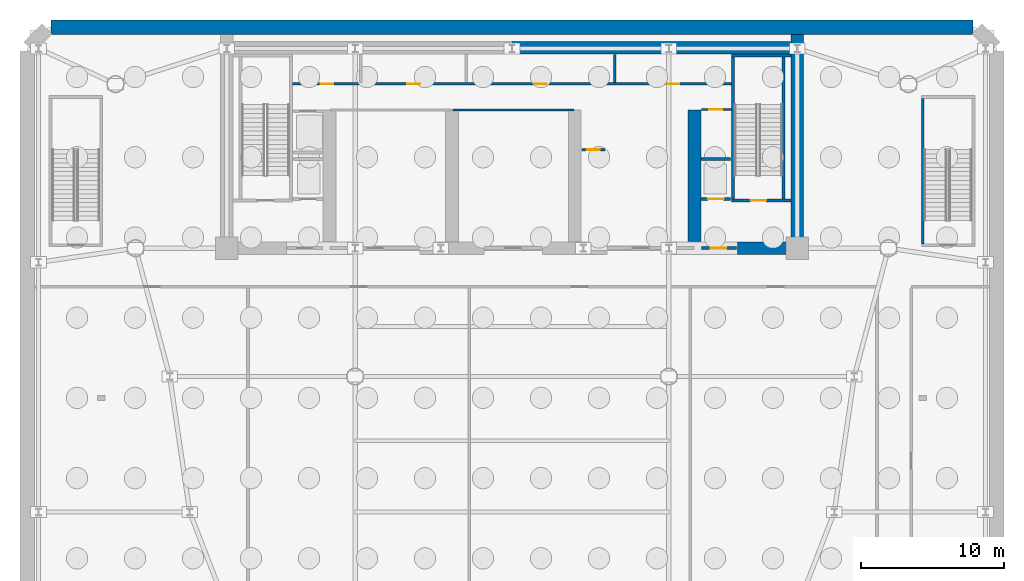
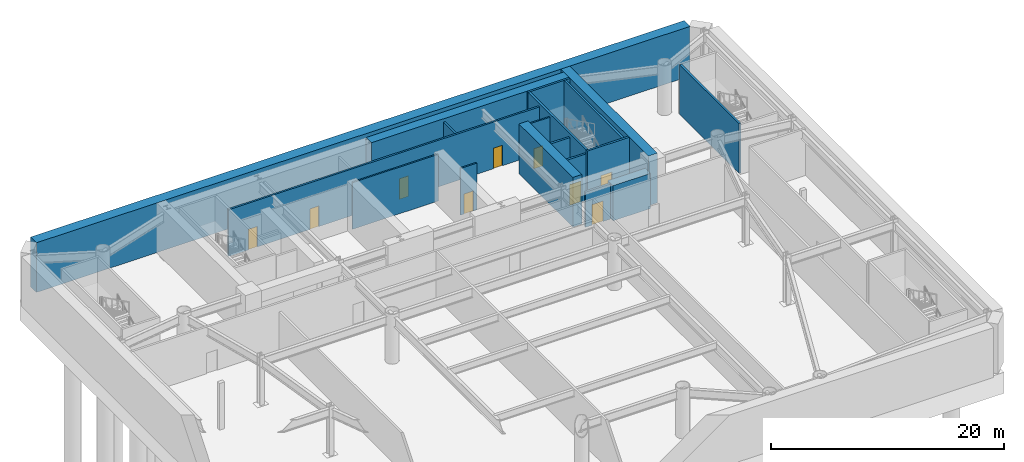
# One storey, part 4 of 11: 18 walls, 9 doors, 9 openings.
"""IFC4 building model written with IfcOpenShell, lengths in metres."""

import ifcopenshell
import ifcopenshell.guid

model = None  # the IFC model being written
_history = None  # IfcOwnerHistory: only IFC2X3 demands one
_inside = {}  # id of a spatial element -> (the spatial element, [elements in it])
_under = {}  # id of a project, library or spatial element -> (it, [spatial elements below it])
_declared = {}  # id of a project -> (the project, [libraries it declares])
_typed = {}  # id of a type object -> (the type object, [elements of that type])
_made_of = {}  # id of a material, layer set ... -> (it, [elements and type objects made of it])


def new_model(schema):
    """Start an empty IFC model of exactly this schema.

    Asked for "IFC4X3", IfcOpenShell would pick the latest addendum, in which some entities
    have other attributes; the version numbers below select the first issue.
    IFC2X3 requires an IfcOwnerHistory on every rooted entity: one is made here for all.
    """
    global model, _history
    if schema == "IFC4X3":
        model = ifcopenshell.file(schema_version=(4, 3, 0, 0))
    else:
        model = ifcopenshell.file(schema=schema)
    _inside.clear()
    _under.clear()
    _declared.clear()
    _typed.clear()
    _made_of.clear()
    _history = None
    if model.schema == "IFC2X3":
        org = make("IfcOrganization", Name="unknown")
        user = make(
            "IfcPersonAndOrganization",
            ThePerson=make("IfcPerson", FamilyName="unknown"),
            TheOrganization=org,
        )
        app = make(
            "IfcApplication",
            ApplicationDeveloper=org,
            Version="unknown",
            ApplicationFullName="unknown",
            ApplicationIdentifier="unknown",
        )
        _history = make(
            "IfcOwnerHistory",
            OwningUser=user,
            OwningApplication=app,
            ChangeAction="ADDED",
            CreationDate=0,
        )
    return model


def make(cls, **values):
    """One entity of the class cls with the attributes given. An attribute that is None is left unset."""
    return model.create_entity(
        cls, **{name: value for name, value in values.items() if value is not None}
    )


def rooted(cls, **values):
    """An entity with a GlobalId (a new one), such as an element, a storey or a relation."""
    return make(cls, GlobalId=ifcopenshell.guid.new(), OwnerHistory=_history, **values)


def si_unit(unit_type, name, prefix=None):
    """IfcSIUnit, for example si_unit("LENGTHUNIT", "METRE", prefix="MILLI")."""
    return make("IfcSIUnit", UnitType=unit_type, Prefix=prefix, Name=name)


def assignment(units):
    """IfcUnitAssignment: the units of a project."""
    return None if units is None else make("IfcUnitAssignment", Units=units)


def point(xyz):
    """IfcCartesianPoint."""
    return None if xyz is None else make("IfcCartesianPoint", Coordinates=xyz)


def direction(xyz):
    """IfcDirection."""
    return None if xyz is None else make("IfcDirection", DirectionRatios=xyz)


def frame(location, z_axis=None, x_axis=None):
    """IfcAxis2Placement3D, a coordinate frame: its origin and axes. An axis left out is left unset."""
    return make(
        "IfcAxis2Placement3D",
        Location=point(location),
        Axis=direction(z_axis),
        RefDirection=direction(x_axis),
    )


def frame_2d(location, x_axis=None):
    """IfcAxis2Placement2D, a coordinate frame in the plane: its origin and x axis."""
    return make(
        "IfcAxis2Placement2D", Location=point(location), RefDirection=direction(x_axis)
    )


def origin():
    """The frame at (0, 0, 0) with its axes left unset."""
    return frame((0.0, 0.0, 0.0))


def place(relative_to, where):
    """IfcLocalPlacement: puts the frame where relative to a parent placement (None: the world)."""
    return make(
        "IfcLocalPlacement", PlacementRelTo=relative_to, RelativePlacement=where
    )


def context(
    kind, dimensions, precision=None, world=None, true_north=None, identifier=None
):
    """IfcGeometricRepresentationContext, for example the 3D "Model" context."""
    return make(
        "IfcGeometricRepresentationContext",
        ContextIdentifier=identifier,
        ContextType=kind,
        CoordinateSpaceDimension=dimensions,
        Precision=precision,
        WorldCoordinateSystem=world,
        TrueNorth=true_north,
    )


def subcontext(parent, identifier, kind, view, scale=None):
    """IfcGeometricRepresentationSubContext, for example "Body" below "Model"."""
    return make(
        "IfcGeometricRepresentationSubContext",
        ContextIdentifier=identifier,
        ContextType=kind,
        ParentContext=parent,
        TargetScale=scale,
        TargetView=view,
    )


def project(units=None, contexts=None):
    """IfcProject with its units and contexts."""
    return rooted(
        "IfcProject",
        Name="project",
        RepresentationContexts=contexts,
        UnitsInContext=assignment(units),
    )


def spatial(cls, under=None, at=None, **own):
    """A site, building, storey or space (cls), placed at a placement, below another one or the project."""
    s = rooted(cls, ObjectPlacement=at, **own)
    if under is not None:
        _under.setdefault(under.id(), (under, []))[1].append(s)
    return s


def profile(cls, at=None, kind="AREA", **sizes):
    """A parametric profile (cls). Its sizes go by their IFC names, for example OverallWidth=200.0."""
    return make(cls, ProfileType=kind, Position=at, **sizes)


def rectangle(**sizes):
    """IfcRectangleProfileDef."""
    return profile("IfcRectangleProfileDef", **sizes)


def extrude(swept, where, along, depth):
    """IfcExtrudedAreaSolid: the profile swept, set in the frame where, extruded along a direction by depth."""
    return make(
        "IfcExtrudedAreaSolid",
        SweptArea=swept,
        Position=where,
        ExtrudedDirection=direction(along),
        Depth=depth,
    )


def shape(context_of_items, identifier, shape_type, items):
    """IfcShapeRepresentation: the items that make up one representation, for example the "Body"."""
    return make(
        "IfcShapeRepresentation",
        ContextOfItems=context_of_items,
        RepresentationIdentifier=identifier,
        RepresentationType=shape_type,
        Items=items,
    )


def source(mapping_origin, context_of_items, identifier, shape_type, items):
    """IfcRepresentationMap: a shape defined once, which mapped items show again and again."""
    return make(
        "IfcRepresentationMap",
        MappingOrigin=mapping_origin,
        MappedRepresentation=shape(context_of_items, identifier, shape_type, items),
    )


def transform(
    local_origin,
    x_axis=None,
    y_axis=None,
    z_axis=None,
    scale=None,
    scale2=None,
    scale3=None,
    uniform=True,
):
    """IfcCartesianTransformationOperator3D, or its non-uniform kind. x_axis, y_axis, z_axis: its Axis1, 2, 3."""
    if uniform:
        return make(
            "IfcCartesianTransformationOperator3D",
            Axis1=direction(x_axis),
            Axis2=direction(y_axis),
            LocalOrigin=point(local_origin),
            Scale=scale,
            Axis3=direction(z_axis),
        )
    return make(
        "IfcCartesianTransformationOperator3DnonUniform",
        Axis1=direction(x_axis),
        Axis2=direction(y_axis),
        LocalOrigin=point(local_origin),
        Scale=scale,
        Axis3=direction(z_axis),
        Scale2=scale2,
        Scale3=scale3,
    )


def mapped(mapping_source, mapping_target):
    """IfcMappedItem: shows the shape of a source again, moved by a transform."""
    return make(
        "IfcMappedItem", MappingSource=mapping_source, MappingTarget=mapping_target
    )


def material(Name=None, Category=None):
    """IfcMaterial."""
    return make("IfcMaterial", Name=Name, Category=Category)


def layer(
    of_material, thickness, ventilated=None, Name=None, Category=None, Priority=None
):
    """IfcMaterialLayer: one layer of a wall or slab, of a material (None: an air gap)."""
    return make(
        "IfcMaterialLayer",
        Material=of_material,
        LayerThickness=thickness,
        IsVentilated=ventilated,
        Name=Name,
        Category=Category,
        Priority=Priority,
    )


def layer_set(layers, Name=None):
    """IfcMaterialLayerSet."""
    return make("IfcMaterialLayerSet", MaterialLayers=layers, LayerSetName=Name)


def made_of(thing, what):
    """Note that an element or type object is made of a material, layer set ...; save() writes the relation."""
    if what is not None:
        _made_of.setdefault(what.id(), (what, []))[1].append(thing)
    return thing


def type_object(cls, material=None, **own):
    """A type object (cls), such as IfcWallType, which elements share."""
    return made_of(rooted(cls, **own), material)


def element(
    cls,
    number,
    at=None,
    inside=None,
    cuts=None,
    type_object=None,
    material=None,
    context=None,
    identifier="Body",
    shape_type=None,
    held_by="IfcProductDefinitionShape",
    body=None,
    shapes=None,
    **own,
):
    """One element of the class cls, such as IfcWall. Its Tag is "e" and its number.

    at: its placement. inside: the storey or other place that contains it. cuts: it is an
    opening in that element (IfcRelVoidsElement). A single representation is given by context,
    identifier, shape_type and body (its items); several are given by shapes. held_by: the class
    of the entity that holds the representations. save() writes the other relations.
    """
    e = rooted(cls, Tag="e%d" % number, ObjectPlacement=at, **own)
    if body is not None:
        shapes = [shape(context, identifier, shape_type, body)]
    if shapes is not None:
        e.Representation = make(held_by, Representations=shapes)
    if inside is not None:
        _inside.setdefault(inside.id(), (inside, []))[1].append(e)
    if cuts is not None:
        rooted(
            "IfcRelVoidsElement", RelatingBuildingElement=cuts, RelatedOpeningElement=e
        )
    if type_object is not None:
        _typed.setdefault(type_object.id(), (type_object, []))[1].append(e)
    return made_of(e, material)


def fill(opening, filler):
    """IfcRelFillsElement: the door or window that sits in an opening."""
    return rooted(
        "IfcRelFillsElement",
        RelatingOpeningElement=opening,
        RelatedBuildingElement=filler,
    )


def aggregate(whole, parts):
    """IfcRelAggregates: a whole, such as a stair, and the parts it consists of."""
    return rooted("IfcRelAggregates", RelatingObject=whole, RelatedObjects=parts)


def save(model, path):
    """Write the relations noted so far, then the file.

    IfcRelAggregates (storeys below a building ...), IfcRelContainedInSpatialStructure (elements
    in a storey), IfcRelDefinesByType, IfcRelAssociatesMaterial and IfcRelDeclares: one each for
    every whole, place, type object, material and project.
    """
    for whole, parts in _under.values():
        aggregate(whole, parts)
    for where, things in _inside.values():
        rooted(
            "IfcRelContainedInSpatialStructure",
            RelatedElements=things,
            RelatingStructure=where,
        )
    for kind, things in _typed.values():
        rooted("IfcRelDefinesByType", RelatedObjects=things, RelatingType=kind)
    for what, things in _made_of.values():
        rooted("IfcRelAssociatesMaterial", RelatedObjects=things, RelatingMaterial=what)
    for by, libraries in _declared.values():
        rooted("IfcRelDeclares", RelatingContext=by, RelatedDefinitions=libraries)
    model.write(path)


model = new_model("IFC4")

# Units and contexts
model_context = context("Model", 3, precision=1e-05, world=origin(), true_north=direction((0.0, 1.0)))
body_context = subcontext(model_context, "Body", "Model", "MODEL_VIEW")
ifc_project = project(units=[si_unit("LENGTHUNIT", "METRE"), si_unit("AREAUNIT", "SQUARE_METRE"), si_unit("VOLUMEUNIT", "CUBIC_METRE"), si_unit("PLANEANGLEUNIT", "RADIAN"), si_unit("MASSUNIT", "GRAM", prefix="KILO")], contexts=[model_context])

# Site, building, storey
site_placement = place(None, origin())
site = spatial("IfcSite", under=ifc_project, at=site_placement, CompositionType="ELEMENT")
building_placement = place(site_placement, origin())
building = spatial("IfcBuilding", under=site, at=building_placement, Name="Vaeldorn Concourse Tower", CompositionType="ELEMENT")
storey_placement = place(building_placement, frame((0.0, 0.0, -15.60009765625)))
storey = spatial("IfcBuildingStorey", under=building, at=storey_placement, Name="B03", CompositionType="ELEMENT", Elevation=-15.60009765625)

# Walls
ifc_material_1 = material(Name="Concrete C60/75", Category="concrete")
ifc_layer_1 = layer(ifc_material_1, 0.89990234375)
ifc_layer_set_1 = layer_set([ifc_layer_1], Name="Concrete C60/75")
wall_type_1 = type_object("IfcWallType", Name="WL-CORE-900", PredefinedType="SHEAR", material=ifc_layer_set_1)
wall_1_placement = place(storey_placement, frame((34.001953125, 50.550048828125, 0.0), z_axis=(0.0, 0.0, 1.0), x_axis=(1.0, 0.0, 0.0)))
element("IfcWall", 1, at=wall_1_placement, inside=storey, type_object=wall_type_1, Name="Rear Core Shear Wall B03 N2", PredefinedType="SHEAR", context=body_context, shape_type="SweptSolid", body=[
    extrude(rectangle(XDim=19.5439453125, YDim=0.89990234375, at=frame_2d((9.77197265625, 0.0))), origin(), (0.0, 0.0, 1.0), 5.2001953125),
])
wall_2_placement = place(storey_placement, frame((54.0, 36.5, 0.0), z_axis=(0.0, 0.0, 1.0), x_axis=(0.0, 1.0, 0.0)))
element("IfcWall", 2, at=wall_2_placement, inside=storey, type_object=wall_type_1, Name="Rear Core Shear Wall B03 E1", PredefinedType="SHEAR", context=body_context, shape_type="SweptSolid", body=[
    extrude(rectangle(XDim=15.0, YDim=0.89990234375, at=frame_2d((7.5, 0.0))), origin(), (0.0, 0.0, 1.0), 5.2001953125),
])
wall_3_placement = place(storey_placement, frame((49.800048828125, 36.5, 0.0), z_axis=(0.0, 0.0, 1.0), x_axis=(1.0, 0.0, 0.0)))
element("IfcWall", 3, at=wall_3_placement, inside=storey, type_object=wall_type_1, Name="Rear Core Shear Wall B03 S4", PredefinedType="SHEAR", context=body_context, shape_type="SweptSolid", body=[
    extrude(rectangle(XDim=3.72998046875, YDim=0.89990234375, at=frame_2d((1.864990234375, 0.0))), origin(), (0.0, 0.0, 1.0), 3.68017578125),
])
wall_4_placement = place(storey_placement, frame((46.800048828125, 36.969970703125, 0.0), z_axis=(0.0, 0.0, 1.0), x_axis=(0.0, 1.0, 0.0)))
element("IfcWall", 4, at=wall_4_placement, inside=storey, type_object=wall_type_1, Name="Rear Core Shear Wall B03 M4", PredefinedType="SHEAR", context=body_context, shape_type="SweptSolid", body=[
    extrude(rectangle(XDim=9.22998046875, YDim=0.89990234375, at=frame_2d((4.614990234375, 0.0))), origin(), (0.0, 0.0, 1.0), 5.2001953125),
])
ifc_material_2 = material(Name="Concrete C50/60", Category="concrete")
ifc_layer_2 = layer(ifc_material_2, 1.0)
ifc_layer_set_2 = layer_set([ifc_layer_2], Name="Concrete C50/60")
wall_type_2 = type_object("IfcWallType", Name="WL-DIAPH-1000", PredefinedType="STANDARD", material=ifc_layer_set_2)
wall_5_placement = place(storey_placement, frame((66.340087890625, 52.0, 0.0), z_axis=(0.0, 0.0, 1.0), x_axis=(-1.0, 0.0, 0.0)))
element("IfcWall", 5, at=wall_5_placement, inside=storey, type_object=wall_type_2, Name="Substructure Diaphragm Wall B03-05", PredefinedType="STANDARD", context=body_context, shape_type="SweptSolid", body=[
    extrude(rectangle(XDim=64.68017578125, YDim=1.0, at=frame_2d((32.340087890625, 0.0))), origin(), (0.0, 0.0, 1.0), 5.2001953125),
])
ifc_material_3 = material(Name="Gypsum Board Partition", Category="gypsum")
ifc_layer_3 = layer(ifc_material_3, 0.14990234375)
ifc_layer_set_3 = layer_set([ifc_layer_3], Name="Gypsum Board Partition")
wall_type_3 = type_object("IfcWallType", Name="WL-PART-150", PredefinedType="PARTITIONING", material=ifc_layer_set_3)
wall_6_placement = place(storey_placement, frame((29.85009765625, 46.199951171875, 0.0), z_axis=(0.0, 0.0, 1.0), x_axis=(1.0, 0.0, 0.0)))
element("IfcWall", 6, at=wall_6_placement, inside=storey, type_object=wall_type_3, Name="Interior Wall CW-B03-B2N", PredefinedType="PARTITIONING", context=body_context, shape_type="SweptSolid", body=[
    extrude(rectangle(XDim=8.5, YDim=0.14990234375, at=frame_2d((4.25, 0.0))), origin(), (0.0, 0.0, 1.0), 4.880126953125),
])

# Wall, opening, door
wall_7_placement = place(storey_placement, frame((47.280029296875, 46.219970703125, 0.0), z_axis=(0.0, 0.0, 1.0), x_axis=(1.0, 0.0, 0.0)))
wall_7 = element("IfcWall", 7, at=wall_7_placement, inside=storey, type_object=wall_type_3, Name="Interior Wall CW-B03-CRSE-N", PredefinedType="PARTITIONING", context=body_context, shape_type="SweptSolid", body=[
    extrude(rectangle(XDim=2.099853515625, YDim=0.14990234375, at=frame_2d((1.0498046875, 0.0))), origin(), (0.0, 0.0, 1.0), 4.880126953125),
])
opening_1_placement = place(wall_7_placement, frame((0.550048828125, 0.0, 0.0)))
opening_1 = element("IfcOpeningElement", 8, at=opening_1_placement, cuts=wall_7, Name="Opening D-02", PredefinedType="OPENING", context=body_context, shape_type="SweptSolid", body=[
    extrude(rectangle(XDim=0.89990234375, YDim=2.10009765625, at=frame_2d((0.449951171875, 1.050048828125))), frame((0.0, 0.0849609375, 0.0), z_axis=(0.0, -1.0, 0.0), x_axis=(1.0, 0.0, 0.0)), (0.0, 0.0, 1.0), 0.169921875),
])
ifc_material_4 = material(Name="Fire-Rated Timber Leaf", Category="wood")
door_type_1 = type_object("IfcDoorType", Name="DR-FD30-900", OperationType="NOTDEFINED", PredefinedType="DOOR", material=ifc_material_4)
shared_shape_1 = source(origin(), body_context, "Body", "SweptSolid", [
    extrude(rectangle(XDim=0.89990234375, YDim=2.10009765625, at=frame_2d((0.449951171875, 1.050048828125))), frame((0.0, 0.02490234375, 0.0), z_axis=(0.0, -1.0, 0.0), x_axis=(1.0, 0.0, 0.0)), (0.0, 0.0, 1.0), 0.050048828125),
])
door_1_placement = place(opening_1_placement, origin())
door_1 = element("IfcDoor", 9, at=door_1_placement, inside=storey, type_object=door_type_1, Name="Interior Door DR-B03-CRSE", OperationType="SINGLE_SWING_RIGHT", OverallHeight=2.10009765625, OverallWidth=0.89990234375, PredefinedType="DOOR", context=body_context, shape_type="MappedRepresentation", body=[
    mapped(shared_shape_1, transform((0.0, 0.0, 0.0), scale=1.0)),
])
fill(opening_1, door_1)

wall_8_placement = place(storey_placement, frame((38.919921875, 43.39990234375, 0.0), z_axis=(0.0, 0.0, 1.0), x_axis=(1.0, 0.0, 0.0)))
wall_8 = element("IfcWall", 10, at=wall_8_placement, inside=storey, type_object=wall_type_3, Name="Interior Wall CW-B03-CCLINK", PredefinedType="PARTITIONING", context=body_context, shape_type="SweptSolid", body=[
    extrude(rectangle(XDim=1.60009765625, YDim=0.14990234375, at=frame_2d((0.800048828125, 0.0))), origin(), (0.0, 0.0, 1.0), 4.880126953125),
])
opening_2_placement = place(wall_8_placement, frame((0.35009765625, 0.0, 0.0)))
opening_2 = element("IfcOpeningElement", 11, at=opening_2_placement, cuts=wall_8, Name="Opening D-02", PredefinedType="OPENING", context=body_context, shape_type="SweptSolid", body=[
    extrude(rectangle(XDim=0.89990234375, YDim=2.10009765625, at=frame_2d((0.449951171875, 1.050048828125))), frame((0.0, 0.0849609375, 0.0), z_axis=(0.0, -1.0, 0.0), x_axis=(1.0, 0.0, 0.0)), (0.0, 0.0, 1.0), 0.169921875),
])
door_2_placement = place(opening_2_placement, origin())
door_2 = element("IfcDoor", 12, at=door_2_placement, inside=storey, type_object=door_type_1, Name="Interior Door DR-B03-CCLINK", OperationType="SINGLE_SWING_LEFT", OverallHeight=2.10009765625, OverallWidth=0.89990234375, PredefinedType="DOOR", context=body_context, shape_type="MappedRepresentation", body=[
    mapped(shared_shape_1, transform((0.0, 0.0, 0.0), scale=1.0)),
])
fill(opening_2, door_2)

# Wall, openings, doors
ifc_layer_4 = layer(ifc_material_3, 0.179931640625)
ifc_layer_set_4 = layer_set([ifc_layer_4], Name="Gypsum Board Partition")
wall_type_4 = type_object("IfcWallType", Name="WL-PLUMB-180", PredefinedType="PLUMBINGWALL", material=ifc_layer_set_4)
wall_9_placement = place(storey_placement, frame((18.6201171875, 48.02001953125, 0.0), z_axis=(0.0, 0.0, 1.0), x_axis=(1.0, 0.0, 0.0)))
wall_9 = element("IfcWall", 13, at=wall_9_placement, inside=storey, type_object=wall_type_4, Name="Interior Wall CW-B03-NS0", PredefinedType="PLUMBINGWALL", context=body_context, shape_type="SweptSolid", body=[
    extrude(rectangle(XDim=30.759765625, YDim=0.179931640625, at=frame_2d((15.3798828125, 0.0))), origin(), (0.0, 0.0, 1.0), 4.880126953125),
])
opening_3_placement = place(wall_9_placement, frame((1.955078125, 0.0, 0.0)))
opening_3 = element("IfcOpeningElement", 14, at=opening_3_placement, cuts=wall_9, Name="Opening D-03", PredefinedType="OPENING", context=body_context, shape_type="SweptSolid", body=[
    extrude(rectangle(XDim=0.89990234375, YDim=2.14990234375, at=frame_2d((0.449951171875, 1.074951171875))), frame((0.0, 0.10009765625, 0.0), z_axis=(0.0, -1.0, 0.0), x_axis=(1.0, 0.0, 0.0)), (0.0, 0.0, 1.0), 0.199951171875),
])
opening_4_placement = place(wall_9_placement, frame((8.030029296875, 0.0, 0.0)))
opening_4 = element("IfcOpeningElement", 15, at=opening_4_placement, cuts=wall_9, Name="Opening D-03", PredefinedType="OPENING", context=body_context, shape_type="SweptSolid", body=[
    extrude(rectangle(XDim=0.89990234375, YDim=2.14990234375, at=frame_2d((0.449951171875, 1.074951171875))), frame((0.0, 0.10009765625, 0.0), z_axis=(0.0, -1.0, 0.0), x_axis=(1.0, 0.0, 0.0)), (0.0, 0.0, 1.0), 0.199951171875),
])
opening_5_placement = place(wall_9_placement, frame((16.929931640625, 0.0, 0.0)))
opening_5 = element("IfcOpeningElement", 16, at=opening_5_placement, cuts=wall_9, Name="Opening D-03", PredefinedType="OPENING", context=body_context, shape_type="SweptSolid", body=[
    extrude(rectangle(XDim=0.89990234375, YDim=2.14990234375, at=frame_2d((0.449951171875, 1.074951171875))), frame((0.0, 0.10009765625, 0.0), z_axis=(0.0, -1.0, 0.0), x_axis=(1.0, 0.0, 0.0)), (0.0, 0.0, 1.0), 0.199951171875),
])
opening_6_placement = place(wall_9_placement, frame((26.205078125, 0.0, 0.0)))
opening_6 = element("IfcOpeningElement", 17, at=opening_6_placement, cuts=wall_9, Name="Opening D-03", PredefinedType="OPENING", context=body_context, shape_type="SweptSolid", body=[
    extrude(rectangle(XDim=0.89990234375, YDim=2.14990234375, at=frame_2d((0.449951171875, 1.074951171875))), frame((0.0, 0.10009765625, 0.0), z_axis=(0.0, -1.0, 0.0), x_axis=(1.0, 0.0, 0.0)), (0.0, 0.0, 1.0), 0.199951171875),
])
ifc_material_5 = material(Name="Acoustic Bronze-Framed Glass Door", Category="glass")
door_type_2 = type_object("IfcDoorType", Name="DR-INT-900", OperationType="NOTDEFINED", PredefinedType="DOOR", material=ifc_material_5)
shared_shape_2 = source(origin(), body_context, "Body", "SweptSolid", [
    extrude(rectangle(XDim=0.89990234375, YDim=2.14990234375, at=frame_2d((0.449951171875, 1.074951171875))), frame((0.0, 0.02490234375, 0.0), z_axis=(0.0, -1.0, 0.0), x_axis=(1.0, 0.0, 0.0)), (0.0, 0.0, 1.0), 0.050048828125),
])
door_3_placement = place(opening_3_placement, origin())
door_3 = element("IfcDoor", 18, at=door_3_placement, inside=storey, type_object=door_type_2, Name="Interior Door DR-B03-CS1", OperationType="SINGLE_SWING_LEFT", OverallHeight=2.14990234375, OverallWidth=0.89990234375, PredefinedType="DOOR", context=body_context, shape_type="MappedRepresentation", body=[
    mapped(shared_shape_2, transform((0.0, 0.0, 0.0), scale=1.0)),
])
fill(opening_3, door_3)
door_4_placement = place(opening_4_placement, origin())
door_4 = element("IfcDoor", 19, at=door_4_placement, inside=storey, type_object=door_type_2, Name="Interior Door DR-B03-CS2", OperationType="SINGLE_SWING_RIGHT", OverallHeight=2.14990234375, OverallWidth=0.89990234375, PredefinedType="DOOR", context=body_context, shape_type="MappedRepresentation", body=[
    mapped(shared_shape_2, transform((0.0, 0.0, 0.0), scale=1.0)),
])
fill(opening_4, door_4)
door_5_placement = place(opening_5_placement, origin())
door_5 = element("IfcDoor", 20, at=door_5_placement, inside=storey, type_object=door_type_2, Name="Interior Door DR-B03-CS3", OperationType="SINGLE_SWING_LEFT", OverallHeight=2.14990234375, OverallWidth=0.89990234375, PredefinedType="DOOR", context=body_context, shape_type="MappedRepresentation", body=[
    mapped(shared_shape_2, transform((0.0, 0.0, 0.0), scale=1.0)),
])
fill(opening_5, door_5)
door_6_placement = place(opening_6_placement, origin())
door_6 = element("IfcDoor", 21, at=door_6_placement, inside=storey, type_object=door_type_2, Name="Interior Door DR-B03-CS4", OperationType="SINGLE_SWING_RIGHT", OverallHeight=2.14990234375, OverallWidth=0.89990234375, PredefinedType="DOOR", context=body_context, shape_type="MappedRepresentation", body=[
    mapped(shared_shape_2, transform((0.0, 0.0, 0.0), scale=1.0)),
])
fill(opening_6, door_6)

# Wall
wall_10_placement = place(storey_placement, frame((41.199951171875, 48.10009765625, 0.0), z_axis=(0.0, 0.0, 1.0), x_axis=(0.0, 1.0, 0.0)))
element("IfcWall", 22, at=wall_10_placement, inside=storey, type_object=wall_type_4, Name="Interior Wall CW-B03-NDIV3", PredefinedType="PLUMBINGWALL", context=body_context, shape_type="SweptSolid", body=[
    extrude(rectangle(XDim=1.97998046875, YDim=0.179931640625, at=frame_2d((0.989990234375, 0.0))), origin(), (0.0, 0.0, 1.0), 4.880126953125),
])

# Wall, opening, door
ifc_layer_5 = layer(ifc_material_2, 0.199951171875)
ifc_layer_set_5 = layer_set([ifc_layer_5], Name="Concrete C50/60")
wall_type_5 = type_object("IfcWallType", Name="WL-SHAFT-200", PredefinedType="SOLIDWALL", material=ifc_layer_set_5)
wall_11_placement = place(storey_placement, frame((49.39990234375, 39.85009765625, 0.0), z_axis=(0.0, 0.0, 1.0), x_axis=(1.0, 0.0, 0.0)))
wall_11 = element("IfcWall", 23, at=wall_11_placement, inside=storey, type_object=wall_type_5, Name="Stair Shaft Wall CW-B03-ST-2-S", PredefinedType="SOLIDWALL", context=body_context, shape_type="SweptSolid", body=[
    extrude(rectangle(XDim=4.150146484375, YDim=0.199951171875, at=frame_2d((2.0751953125, 0.0))), origin(), (0.0, 0.0, 1.0), 5.2001953125),
])
opening_7_placement = place(wall_11_placement, frame((1.324951171875, 0.0, 0.0)))
opening_7 = element("IfcOpeningElement", 24, at=opening_7_placement, cuts=wall_11, Name="Opening D-01", PredefinedType="OPENING", context=body_context, shape_type="SweptSolid", body=[
    extrude(rectangle(XDim=1.10009765625, YDim=2.14990234375, at=frame_2d((0.550048828125, 1.074951171875))), frame((0.0, 0.10986328125, 0.0), z_axis=(0.0, -1.0, 0.0), x_axis=(1.0, 0.0, 0.0)), (0.0, 0.0, 1.0), 0.219970703125),
])
ifc_material_6 = material(Name="Fire-Rated Timber and Steel Leaf", Category="steel")
door_type_3 = type_object("IfcDoorType", Name="DR-FD60-1100", OperationType="NOTDEFINED", PredefinedType="DOOR", material=ifc_material_6)
shared_shape_3 = source(origin(), body_context, "Body", "SweptSolid", [
    extrude(rectangle(XDim=1.10009765625, YDim=2.14990234375, at=frame_2d((0.550048828125, 1.074951171875))), frame((0.0, 0.02490234375, 0.0), z_axis=(0.0, -1.0, 0.0), x_axis=(1.0, 0.0, 0.0)), (0.0, 0.0, 1.0), 0.050048828125),
])
door_7_placement = place(opening_7_placement, origin())
door_7 = element("IfcDoor", 25, at=door_7_placement, inside=storey, type_object=door_type_3, Name="Interior Door DR-B03-ST-2", OperationType="SINGLE_SWING_RIGHT", OverallHeight=2.14990234375, OverallWidth=1.10009765625, PredefinedType="DOOR", context=body_context, shape_type="MappedRepresentation", body=[
    mapped(shared_shape_3, transform((0.0, 0.0, 0.0), scale=1.0)),
])
fill(opening_7, door_7)

# Walls
wall_12_placement = place(storey_placement, frame((49.39990234375, 50.0, 0.0), z_axis=(0.0, 0.0, 1.0), x_axis=(1.0, 0.0, 0.0)))
element("IfcWall", 26, at=wall_12_placement, inside=storey, type_object=wall_type_5, Name="Stair Shaft Wall CW-B03-ST-2-N", PredefinedType="SOLIDWALL", context=body_context, shape_type="SweptSolid", body=[
    extrude(rectangle(XDim=4.150146484375, YDim=0.199951171875, at=frame_2d((2.0751953125, 0.0))), origin(), (0.0, 0.0, 1.0), 5.2001953125),
])
for number, where, z_axis, x_axis, name in (
    (27, (49.5, 39.9599609375, 0.0), (0.0, 0.0, 1.0), (0.0, 1.0, 0.0), "Stair Shaft Wall CW-B03-ST-2-W"),
    (28, (53.050048828125, 39.9599609375, 0.0), (0.0, 0.0, 1.0), (0.0, 1.0, 0.0), "Stair Shaft Wall CW-B03-ST-2-E"),
):
    element("IfcWall", number, at=place(storey_placement, frame(where, z_axis=z_axis, x_axis=x_axis)), inside=storey, type_object=wall_type_5, Name=name, PredefinedType="SOLIDWALL", context=body_context, shape_type="SweptSolid", body=[
        extrude(rectangle(XDim=9.929931640625, YDim=0.199951171875, at=frame_2d((4.96484375, 0.0))), origin(), (0.0, 0.0, 1.0), 5.2001953125),
    ])

# Wall, opening, door
wall_13_placement = place(storey_placement, frame((47.280029296875, 36.5, 0.0), z_axis=(0.0, 0.0, 1.0), x_axis=(1.0, 0.0, 0.0)))
wall_13 = element("IfcWall", 29, at=wall_13_placement, inside=storey, type_object=wall_type_5, Name="Interior Wall CW-B03-FF2S", PredefinedType="SOLIDWALL", context=body_context, shape_type="SweptSolid", body=[
    extrude(rectangle(XDim=2.469970703125, YDim=0.199951171875, at=frame_2d((1.23486328125, 0.0))), origin(), (0.0, 0.0, 1.0), 3.670166015625),
])
opening_8_placement = place(wall_13_placement, frame((0.64990234375, 0.0, 0.0)))
opening_8 = element("IfcOpeningElement", 30, at=opening_8_placement, cuts=wall_13, Name="Opening D-01", PredefinedType="OPENING", context=body_context, shape_type="SweptSolid", body=[
    extrude(rectangle(XDim=1.10009765625, YDim=2.14990234375, at=frame_2d((0.550048828125, 1.074951171875))), frame((0.0, 0.10986328125, 0.0), z_axis=(0.0, -1.0, 0.0), x_axis=(1.0, 0.0, 0.0)), (0.0, 0.0, 1.0), 0.219970703125),
])
door_8_placement = place(opening_8_placement, origin())
door_8 = element("IfcDoor", 31, at=door_8_placement, inside=storey, type_object=door_type_3, Name="Interior Door DR-B03-FF2W", OperationType="SINGLE_SWING_LEFT", OverallHeight=2.14990234375, OverallWidth=1.10009765625, PredefinedType="DOOR", context=body_context, shape_type="MappedRepresentation", body=[
    mapped(shared_shape_3, transform((0.0, 0.0, 0.0), scale=1.0)),
])
fill(opening_8, door_8)

wall_14_placement = place(storey_placement, frame((47.260009765625, 39.949951171875, 0.0), z_axis=(0.0, 0.0, 1.0), x_axis=(1.0, 0.0, 0.0)))
wall_14 = element("IfcWall", 32, at=wall_14_placement, inside=storey, type_object=wall_type_5, Name="Interior Wall CW-B03-LF-LF-FF2", PredefinedType="SOLIDWALL", context=body_context, shape_type="SweptSolid", body=[
    extrude(rectangle(XDim=2.070068359375, YDim=0.199951171875, at=frame_2d((1.03515625, 0.0))), origin(), (0.0, 0.0, 1.0), 4.880126953125),
])
opening_9_placement = place(wall_14_placement, frame((0.485107421875, 0.0, 0.0)))
opening_9 = element("IfcOpeningElement", 33, at=opening_9_placement, cuts=wall_14, Name="Opening LD-1", PredefinedType="OPENING", context=body_context, shape_type="SweptSolid", body=[
    extrude(rectangle(XDim=1.10009765625, YDim=2.14990234375, at=frame_2d((0.550048828125, 1.074951171875))), frame((0.0, 0.10986328125, 0.0), z_axis=(0.0, -1.0, 0.0), x_axis=(1.0, 0.0, 0.0)), (0.0, 0.0, 1.0), 0.219970703125),
])
ifc_material_7 = material(Name="Anodised Bronze Aluminium", Category="aluminium")
door_type_4 = type_object("IfcDoorType", Name="DR-LIFT-SLIDE-1100", OperationType="DOUBLE_DOOR_SLIDING", PredefinedType="DOOR", material=ifc_material_7)
door_9_placement = place(opening_9_placement, origin())
door_9 = element("IfcDoor", 34, at=door_9_placement, inside=storey, type_object=door_type_4, Name="Lift Landing Door LD-B03-LF-FF2", OperationType="DOUBLE_DOOR_SLIDING", OverallHeight=2.14990234375, OverallWidth=1.10009765625, PredefinedType="DOOR", context=body_context, shape_type="MappedRepresentation", body=[
    mapped(shared_shape_3, transform((0.0, 0.0, 0.0), scale=1.0)),
])
fill(opening_9, door_9)

# Walls
wall_15_placement = place(storey_placement, frame((47.260009765625, 42.75, 0.0), z_axis=(0.0, 0.0, 1.0), x_axis=(1.0, 0.0, 0.0)))
element("IfcWall", 35, at=wall_15_placement, inside=storey, type_object=wall_type_5, Name="Interior Wall CW-B03-LFB-LF-FF2", PredefinedType="SOLIDWALL", context=body_context, shape_type="SweptSolid", body=[
    extrude(rectangle(XDim=2.070068359375, YDim=0.199951171875, at=frame_2d((1.03515625, 0.0))), origin(), (0.0, 0.0, 1.0), 4.880126953125),
])
wall_16_placement = place(storey_placement, frame((62.800048828125, 36.81005859375, 0.0), z_axis=(0.0, 0.0, 1.0), x_axis=(0.0, 1.0, 0.0)))
element("IfcWall", 36, at=wall_16_placement, inside=storey, type_object=wall_type_5, Name="Stair Shaft Wall CW-B03-ST-4-W", PredefinedType="SOLIDWALL", context=body_context, shape_type="SweptSolid", body=[
    extrude(rectangle(XDim=10.179931640625, YDim=0.199951171875, at=frame_2d((5.08984375, 0.0))), origin(), (0.0, 0.0, 1.0), 5.2001953125),
])

save(model, "model.ifc")
